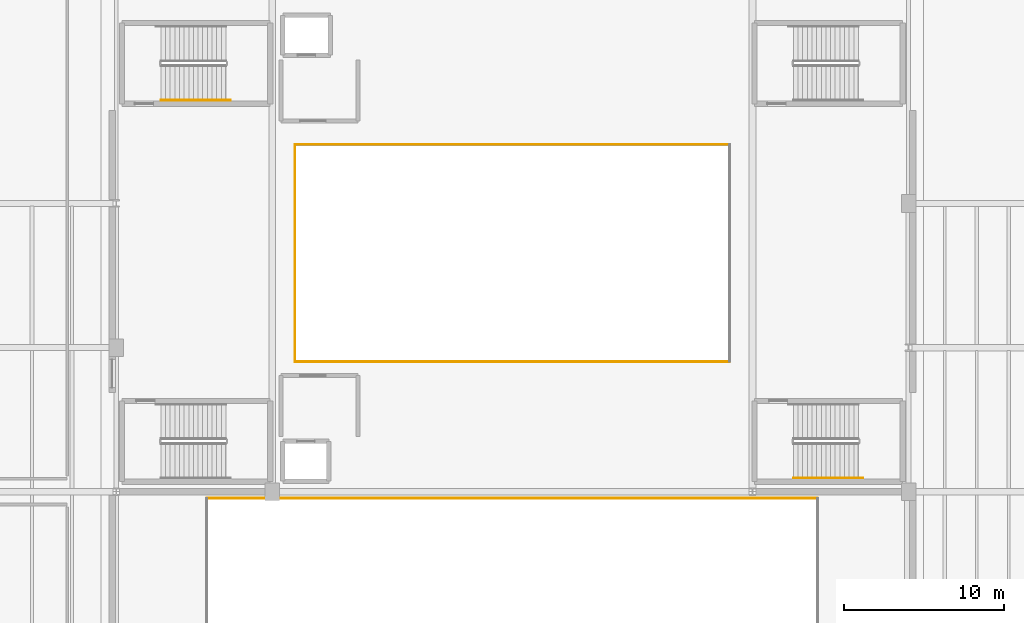
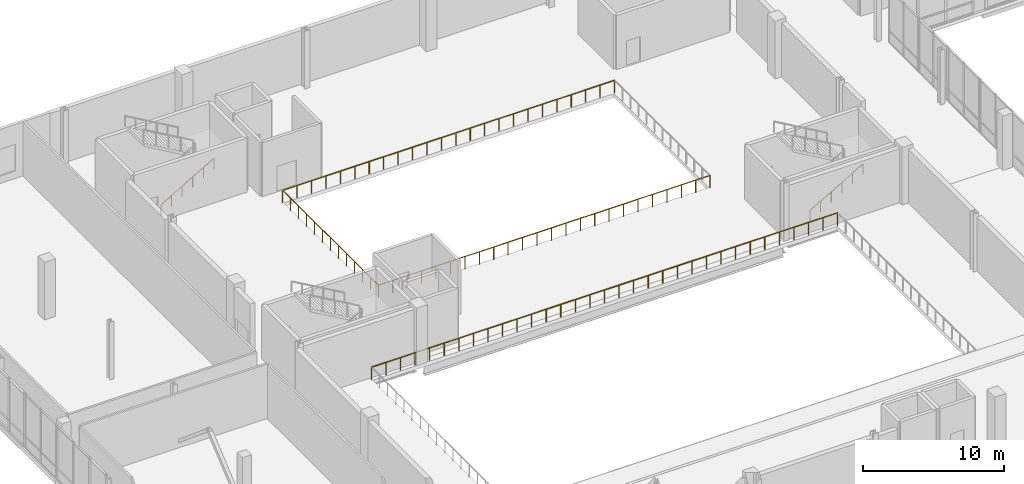
# One storey, part 68 of 73: 6 railings.
"""IFC4 building model written with IfcOpenShell, lengths in metres."""

from ifc_helpers import new_model, si_unit, direction, frame, origin, origin_2d, place, context, subcontext, project, spatial, circle, extrude, material, type_object, element, save


model = new_model("IFC4")

# Units and contexts
model_context = context("Model", 3, precision=1e-05, world=origin(), true_north=direction((0.0, 1.0)))
body_context = subcontext(model_context, "Body", "Model", "MODEL_VIEW")
ifc_project = project(units=[si_unit("LENGTHUNIT", "METRE"), si_unit("AREAUNIT", "SQUARE_METRE"), si_unit("VOLUMEUNIT", "CUBIC_METRE"), si_unit("PLANEANGLEUNIT", "RADIAN"), si_unit("MASSUNIT", "GRAM", prefix="KILO")], contexts=[model_context])

# Site, building, storey
site_placement = place(None, origin())
site = spatial("IfcSite", under=ifc_project, at=site_placement, CompositionType="ELEMENT")
building_placement = place(site_placement, origin())
building = spatial("IfcBuilding", under=site, at=building_placement, Name="Trimount Lyric Opera House", CompositionType="ELEMENT")
storey_placement = place(building_placement, frame((0.0, 0.0, 10.0)))
storey = spatial("IfcBuildingStorey", under=building, at=storey_placement, Name="L02", CompositionType="ELEMENT", Elevation=10.0)

# Railings
ifc_material_1 = material(Name="Bronze and Laminated Acoustic Glass", Category="glass")
railing_type_1 = type_object("IfcRailingType", Name="RL-BAL112", PredefinedType="BALUSTRADE", material=ifc_material_1)
railing_1_placement = place(storey_placement, frame((108.080078125, 83.580078125, 0.0)))
element("IfcRailing", 1, at=railing_1_placement, inside=storey, type_object=railing_type_1, Name="L02 atrium and balcony guard GRD-AUD-L02-N", PredefinedType="BALUSTRADE", context=body_context, shape_type="SweptSolid", body=[
    extrude(circle(Radius=0.02734375, at=origin_2d()), frame((0.0, 0.0, 1.0927734375), z_axis=(-1.0, 0.0, 0.0), x_axis=(0.0, -1.0, 0.0)), (0.0, 0.0, 1.0), 38.16015625),
    extrude(circle(Radius=0.02099609375, at=origin_2d()), origin(), (0.0, 0.0, 1.0), 1.065185546875),
    extrude(circle(Radius=0.02099609375, at=origin_2d()), frame((-1.1923828125, 0.0, 0.0)), (0.0, 0.0, 1.0), 1.065185546875),
    extrude(circle(Radius=0.02099609375, at=origin_2d()), frame((-2.385009765625, 0.0, 0.0)), (0.0, 0.0, 1.0), 1.065185546875),
    extrude(circle(Radius=0.02099609375, at=origin_2d()), frame((-3.57763671875, 0.0, 0.0)), (0.0, 0.0, 1.0), 1.065185546875),
    extrude(circle(Radius=0.02099609375, at=origin_2d()), frame((-4.77001953125, 0.0, 0.0)), (0.0, 0.0, 1.0), 1.065185546875),
    extrude(circle(Radius=0.02099609375, at=origin_2d()), frame((-5.96240234375, 0.0, 0.0)), (0.0, 0.0, 1.0), 1.065185546875),
    extrude(circle(Radius=0.02099609375, at=origin_2d()), frame((-7.155029296875, 0.0, 0.0)), (0.0, 0.0, 1.0), 1.065185546875),
    extrude(circle(Radius=0.02099609375, at=origin_2d()), frame((-8.34765625, 0.0, 0.0)), (0.0, 0.0, 1.0), 1.065185546875),
    extrude(circle(Radius=0.02099609375, at=origin_2d()), frame((-9.5400390625, 0.0, 0.0)), (0.0, 0.0, 1.0), 1.065185546875),
    extrude(circle(Radius=0.02099609375, at=origin_2d()), frame((-10.732421875, 0.0, 0.0)), (0.0, 0.0, 1.0), 1.065185546875),
    extrude(circle(Radius=0.02099609375, at=origin_2d()), frame((-11.925048828125, 0.0, 0.0)), (0.0, 0.0, 1.0), 1.065185546875),
    extrude(circle(Radius=0.02099609375, at=origin_2d()), frame((-13.11767578125, 0.0, 0.0)), (0.0, 0.0, 1.0), 1.065185546875),
    extrude(circle(Radius=0.02099609375, at=origin_2d()), frame((-14.31005859375, 0.0, 0.0)), (0.0, 0.0, 1.0), 1.065185546875),
    extrude(circle(Radius=0.02099609375, at=origin_2d()), frame((-15.50244140625, 0.0, 0.0)), (0.0, 0.0, 1.0), 1.065185546875),
    extrude(circle(Radius=0.02099609375, at=origin_2d()), frame((-16.695068359375, 0.0, 0.0)), (0.0, 0.0, 1.0), 1.065185546875),
    extrude(circle(Radius=0.02099609375, at=origin_2d()), frame((-17.8876953125, 0.0, 0.0)), (0.0, 0.0, 1.0), 1.065185546875),
    extrude(circle(Radius=0.02099609375, at=origin_2d()), frame((-19.080078125, 0.0, 0.0)), (0.0, 0.0, 1.0), 1.065185546875),
    extrude(circle(Radius=0.02099609375, at=origin_2d()), frame((-20.2724609375, 0.0, 0.0)), (0.0, 0.0, 1.0), 1.065185546875),
    extrude(circle(Radius=0.02099609375, at=origin_2d()), frame((-21.465087890625, 0.0, 0.0)), (0.0, 0.0, 1.0), 1.065185546875),
    extrude(circle(Radius=0.02099609375, at=origin_2d()), frame((-22.65771484375, 0.0, 0.0)), (0.0, 0.0, 1.0), 1.065185546875),
    extrude(circle(Radius=0.02099609375, at=origin_2d()), frame((-23.85009765625, 0.0, 0.0)), (0.0, 0.0, 1.0), 1.065185546875),
    extrude(circle(Radius=0.02099609375, at=origin_2d()), frame((-25.04248046875, 0.0, 0.0)), (0.0, 0.0, 1.0), 1.065185546875),
    extrude(circle(Radius=0.02099609375, at=origin_2d()), frame((-26.235107421875, 0.0, 0.0)), (0.0, 0.0, 1.0), 1.065185546875),
    extrude(circle(Radius=0.02099609375, at=origin_2d()), frame((-27.427734375, 0.0, 0.0)), (0.0, 0.0, 1.0), 1.065185546875),
    extrude(circle(Radius=0.02099609375, at=origin_2d()), frame((-28.6201171875, 0.0, 0.0)), (0.0, 0.0, 1.0), 1.065185546875),
    extrude(circle(Radius=0.02099609375, at=origin_2d()), frame((-29.8125, 0.0, 0.0)), (0.0, 0.0, 1.0), 1.065185546875),
    extrude(circle(Radius=0.02099609375, at=origin_2d()), frame((-31.005126953125, 0.0, 0.0)), (0.0, 0.0, 1.0), 1.065185546875),
    extrude(circle(Radius=0.02099609375, at=origin_2d()), frame((-32.19775390625, 0.0, 0.0)), (0.0, 0.0, 1.0), 1.065185546875),
    extrude(circle(Radius=0.02099609375, at=origin_2d()), frame((-33.39013671875, 0.0, 0.0)), (0.0, 0.0, 1.0), 1.065185546875),
    extrude(circle(Radius=0.02099609375, at=origin_2d()), frame((-34.58251953125, 0.0, 0.0)), (0.0, 0.0, 1.0), 1.065185546875),
    extrude(circle(Radius=0.02099609375, at=origin_2d()), frame((-35.775146484375, 0.0, 0.0)), (0.0, 0.0, 1.0), 1.065185546875),
    extrude(circle(Radius=0.02099609375, at=origin_2d()), frame((-36.9677734375, 0.0, 0.0)), (0.0, 0.0, 1.0), 1.065185546875),
    extrude(circle(Radius=0.02099609375, at=origin_2d()), frame((-38.16015625, 0.0, 0.0)), (0.0, 0.0, 1.0), 1.065185546875),
])
ifc_material_2 = material(Name="Brushed Stainless Steel 316", Category="steel")
railing_type_2 = type_object("IfcRailingType", Name="RL-GRD110", PredefinedType="GUARDRAIL", material=ifc_material_2)
railing_2_placement = place(storey_placement, frame((75.419921875, 92.1201171875, 0.0)))
element("IfcRailing", 2, at=railing_2_placement, inside=storey, type_object=railing_type_2, Name="L02 atrium and balcony guard GRD-FLY-L02-S", PredefinedType="GUARDRAIL", context=body_context, shape_type="SweptSolid", body=[
    extrude(circle(Radius=0.02392578125, at=origin_2d()), frame((0.0, 0.0, 1.076171875), z_axis=(1.0, 0.0, 0.0), x_axis=(0.0, 1.0, 0.0)), (0.0, 0.0, 1.0), 27.16015625),
    extrude(circle(Radius=0.02099609375, at=origin_2d()), origin(), (0.0, 0.0, 1.0), 1.052001953125),
    extrude(circle(Radius=0.02099609375, at=origin_2d()), frame((1.180908203125, 0.0, 0.0)), (0.0, 0.0, 1.0), 1.052001953125),
    extrude(circle(Radius=0.02099609375, at=origin_2d()), frame((2.36181640625, 0.0, 0.0)), (0.0, 0.0, 1.0), 1.052001953125),
    extrude(circle(Radius=0.02099609375, at=origin_2d()), frame((3.542724609375, 0.0, 0.0)), (0.0, 0.0, 1.0), 1.052001953125),
    extrude(circle(Radius=0.02099609375, at=origin_2d()), frame((4.723388671875, 0.0, 0.0)), (0.0, 0.0, 1.0), 1.052001953125),
    extrude(circle(Radius=0.02099609375, at=origin_2d()), frame((5.904296875, 0.0, 0.0)), (0.0, 0.0, 1.0), 1.052001953125),
    extrude(circle(Radius=0.02099609375, at=origin_2d()), frame((7.085205078125, 0.0, 0.0)), (0.0, 0.0, 1.0), 1.052001953125),
    extrude(circle(Radius=0.02099609375, at=origin_2d()), frame((8.26611328125, 0.0, 0.0)), (0.0, 0.0, 1.0), 1.052001953125),
    extrude(circle(Radius=0.02099609375, at=origin_2d()), frame((9.447021484375, 0.0, 0.0)), (0.0, 0.0, 1.0), 1.052001953125),
    extrude(circle(Radius=0.02099609375, at=origin_2d()), frame((10.6279296875, 0.0, 0.0)), (0.0, 0.0, 1.0), 1.052001953125),
    extrude(circle(Radius=0.02099609375, at=origin_2d()), frame((11.808837890625, 0.0, 0.0)), (0.0, 0.0, 1.0), 1.052001953125),
    extrude(circle(Radius=0.02099609375, at=origin_2d()), frame((12.98974609375, 0.0, 0.0)), (0.0, 0.0, 1.0), 1.052001953125),
    extrude(circle(Radius=0.02099609375, at=origin_2d()), frame((14.17041015625, 0.0, 0.0)), (0.0, 0.0, 1.0), 1.052001953125),
    extrude(circle(Radius=0.02099609375, at=origin_2d()), frame((15.351318359375, 0.0, 0.0)), (0.0, 0.0, 1.0), 1.052001953125),
    extrude(circle(Radius=0.02099609375, at=origin_2d()), frame((16.5322265625, 0.0, 0.0)), (0.0, 0.0, 1.0), 1.052001953125),
    extrude(circle(Radius=0.02099609375, at=origin_2d()), frame((17.713134765625, 0.0, 0.0)), (0.0, 0.0, 1.0), 1.052001953125),
    extrude(circle(Radius=0.02099609375, at=origin_2d()), frame((18.89404296875, 0.0, 0.0)), (0.0, 0.0, 1.0), 1.052001953125),
    extrude(circle(Radius=0.02099609375, at=origin_2d()), frame((20.074951171875, 0.0, 0.0)), (0.0, 0.0, 1.0), 1.052001953125),
    extrude(circle(Radius=0.02099609375, at=origin_2d()), frame((21.255859375, 0.0, 0.0)), (0.0, 0.0, 1.0), 1.052001953125),
    extrude(circle(Radius=0.02099609375, at=origin_2d()), frame((22.436767578125, 0.0, 0.0)), (0.0, 0.0, 1.0), 1.052001953125),
    extrude(circle(Radius=0.02099609375, at=origin_2d()), frame((23.617431640625, 0.0, 0.0)), (0.0, 0.0, 1.0), 1.052001953125),
    extrude(circle(Radius=0.02099609375, at=origin_2d()), frame((24.79833984375, 0.0, 0.0)), (0.0, 0.0, 1.0), 1.052001953125),
    extrude(circle(Radius=0.02099609375, at=origin_2d()), frame((25.979248046875, 0.0, 0.0)), (0.0, 0.0, 1.0), 1.052001953125),
    extrude(circle(Radius=0.02099609375, at=origin_2d()), frame((27.16015625, 0.0, 0.0)), (0.0, 0.0, 1.0), 1.052001953125),
])
railing_3_placement = place(storey_placement, frame((102.580078125, 105.679931640625, 0.0)))
element("IfcRailing", 3, at=railing_3_placement, inside=storey, type_object=railing_type_2, Name="L02 atrium and balcony guard GRD-FLY-L02-N", PredefinedType="GUARDRAIL", context=body_context, shape_type="SweptSolid", body=[
    extrude(circle(Radius=0.02392578125, at=origin_2d()), frame((0.0, 0.0, 1.076171875), z_axis=(-1.0, 0.0, 0.0), x_axis=(0.0, -1.0, 0.0)), (0.0, 0.0, 1.0), 27.16015625),
    extrude(circle(Radius=0.02099609375, at=origin_2d()), origin(), (0.0, 0.0, 1.0), 1.052001953125),
    extrude(circle(Radius=0.02099609375, at=origin_2d()), frame((-1.180908203125, 0.0, 0.0)), (0.0, 0.0, 1.0), 1.052001953125),
    extrude(circle(Radius=0.02099609375, at=origin_2d()), frame((-2.36181640625, 0.0, 0.0)), (0.0, 0.0, 1.0), 1.052001953125),
    extrude(circle(Radius=0.02099609375, at=origin_2d()), frame((-3.542724609375, 0.0, 0.0)), (0.0, 0.0, 1.0), 1.052001953125),
    extrude(circle(Radius=0.02099609375, at=origin_2d()), frame((-4.723388671875, 0.0, 0.0)), (0.0, 0.0, 1.0), 1.052001953125),
    extrude(circle(Radius=0.02099609375, at=origin_2d()), frame((-5.904296875, 0.0, 0.0)), (0.0, 0.0, 1.0), 1.052001953125),
    extrude(circle(Radius=0.02099609375, at=origin_2d()), frame((-7.085205078125, 0.0, 0.0)), (0.0, 0.0, 1.0), 1.052001953125),
    extrude(circle(Radius=0.02099609375, at=origin_2d()), frame((-8.26611328125, 0.0, 0.0)), (0.0, 0.0, 1.0), 1.052001953125),
    extrude(circle(Radius=0.02099609375, at=origin_2d()), frame((-9.447021484375, 0.0, 0.0)), (0.0, 0.0, 1.0), 1.052001953125),
    extrude(circle(Radius=0.02099609375, at=origin_2d()), frame((-10.6279296875, 0.0, 0.0)), (0.0, 0.0, 1.0), 1.052001953125),
    extrude(circle(Radius=0.02099609375, at=origin_2d()), frame((-11.808837890625, 0.0, 0.0)), (0.0, 0.0, 1.0), 1.052001953125),
    extrude(circle(Radius=0.02099609375, at=origin_2d()), frame((-12.98974609375, 0.0, 0.0)), (0.0, 0.0, 1.0), 1.052001953125),
    extrude(circle(Radius=0.02099609375, at=origin_2d()), frame((-14.17041015625, 0.0, 0.0)), (0.0, 0.0, 1.0), 1.052001953125),
    extrude(circle(Radius=0.02099609375, at=origin_2d()), frame((-15.351318359375, 0.0, 0.0)), (0.0, 0.0, 1.0), 1.052001953125),
    extrude(circle(Radius=0.02099609375, at=origin_2d()), frame((-16.5322265625, 0.0, 0.0)), (0.0, 0.0, 1.0), 1.052001953125),
    extrude(circle(Radius=0.02099609375, at=origin_2d()), frame((-17.713134765625, 0.0, 0.0)), (0.0, 0.0, 1.0), 1.052001953125),
    extrude(circle(Radius=0.02099609375, at=origin_2d()), frame((-18.89404296875, 0.0, 0.0)), (0.0, 0.0, 1.0), 1.052001953125),
    extrude(circle(Radius=0.02099609375, at=origin_2d()), frame((-20.074951171875, 0.0, 0.0)), (0.0, 0.0, 1.0), 1.052001953125),
    extrude(circle(Radius=0.02099609375, at=origin_2d()), frame((-21.255859375, 0.0, 0.0)), (0.0, 0.0, 1.0), 1.052001953125),
    extrude(circle(Radius=0.02099609375, at=origin_2d()), frame((-22.436767578125, 0.0, 0.0)), (0.0, 0.0, 1.0), 1.052001953125),
    extrude(circle(Radius=0.02099609375, at=origin_2d()), frame((-23.617431640625, 0.0, 0.0)), (0.0, 0.0, 1.0), 1.052001953125),
    extrude(circle(Radius=0.02099609375, at=origin_2d()), frame((-24.79833984375, 0.0, 0.0)), (0.0, 0.0, 1.0), 1.052001953125),
    extrude(circle(Radius=0.02099609375, at=origin_2d()), frame((-25.979248046875, 0.0, 0.0)), (0.0, 0.0, 1.0), 1.052001953125),
    extrude(circle(Radius=0.02099609375, at=origin_2d()), frame((-27.16015625, 0.0, 0.0)), (0.0, 0.0, 1.0), 1.052001953125),
])
railing_4_placement = place(storey_placement, frame((75.419921875, 105.679931640625, 0.0)))
element("IfcRailing", 4, at=railing_4_placement, inside=storey, type_object=railing_type_2, Name="L02 atrium and balcony guard GRD-FLY-L02-W", PredefinedType="GUARDRAIL", context=body_context, shape_type="SweptSolid", body=[
    extrude(circle(Radius=0.02392578125, at=origin_2d()), frame((0.0, 0.0, 1.076171875), z_axis=(0.0, -1.0, 0.0), x_axis=(1.0, 0.0, 0.0)), (0.0, 0.0, 1.0), 13.559814453125),
    extrude(circle(Radius=0.02099609375, at=origin_2d()), origin(), (0.0, 0.0, 1.0), 1.052001953125),
    extrude(circle(Radius=0.02099609375, at=origin_2d()), frame((0.0, -1.1298828125, 0.0)), (0.0, 0.0, 1.0), 1.052001953125),
    extrude(circle(Radius=0.02099609375, at=origin_2d()), frame((0.0, -2.260009765625, 0.0)), (0.0, 0.0, 1.0), 1.052001953125),
    extrude(circle(Radius=0.02099609375, at=origin_2d()), frame((0.0, -3.389892578125, 0.0)), (0.0, 0.0, 1.0), 1.052001953125),
    extrude(circle(Radius=0.02099609375, at=origin_2d()), frame((0.0, -4.52001953125, 0.0)), (0.0, 0.0, 1.0), 1.052001953125),
    extrude(circle(Radius=0.02099609375, at=origin_2d()), frame((0.0, -5.64990234375, 0.0)), (0.0, 0.0, 1.0), 1.052001953125),
    extrude(circle(Radius=0.02099609375, at=origin_2d()), frame((0.0, -6.77978515625, 0.0)), (0.0, 0.0, 1.0), 1.052001953125),
    extrude(circle(Radius=0.02099609375, at=origin_2d()), frame((0.0, -7.909912109375, 0.0)), (0.0, 0.0, 1.0), 1.052001953125),
    extrude(circle(Radius=0.02099609375, at=origin_2d()), frame((0.0, -9.039794921875, 0.0)), (0.0, 0.0, 1.0), 1.052001953125),
    extrude(circle(Radius=0.02099609375, at=origin_2d()), frame((0.0, -10.169921875, 0.0)), (0.0, 0.0, 1.0), 1.052001953125),
    extrude(circle(Radius=0.02099609375, at=origin_2d()), frame((0.0, -11.2998046875, 0.0)), (0.0, 0.0, 1.0), 1.052001953125),
    extrude(circle(Radius=0.02099609375, at=origin_2d()), frame((0.0, -12.429931640625, 0.0)), (0.0, 0.0, 1.0), 1.052001953125),
    extrude(circle(Radius=0.02099609375, at=origin_2d()), frame((0.0, -13.559814453125, 0.0)), (0.0, 0.0, 1.0), 1.052001953125),
])
ifc_material_3 = material(Name="Brushed Stainless Steel 316", Category="steel")
railing_type_3 = type_object("IfcRailingType", Name="RL-HND092", PredefinedType="HANDRAIL", material=ifc_material_3)
for number, where, name in (
    (5, (67.050048828125, 108.449951171875, 0.166748046875), "L02 ST-01 stair handrail 1"),
    (6, (106.550048828125, 84.85009765625, 0.166748046875), "L02 ST-04 stair handrail 1"),
):
    element("IfcRailing", number, at=place(storey_placement, frame(where)), inside=storey, type_object=railing_type_3, Name=name, PredefinedType="HANDRAIL", context=body_context, shape_type="SweptSolid", body=[
        extrude(circle(Radius=0.0224609375, at=origin_2d()), frame((0.0, 0.0, 0.8974609375), z_axis=(0.866754379005, 0.0, 0.498735246875), x_axis=(0.0, 1.0, 0.0)), (0.0, 0.0, 1.0), 5.0185546875),
        extrude(circle(Radius=0.02099609375, at=origin_2d()), origin(), (0.0, 0.0, 1.0), 0.875),
        extrude(circle(Radius=0.02099609375, at=origin_2d()), frame((0.869873046875, 0.0, 0.50048828125)), (0.0, 0.0, 1.0), 0.875),
        extrude(circle(Radius=0.02099609375, at=origin_2d()), frame((1.739990234375, 0.0, 1.001220703125)), (0.0, 0.0, 1.0), 0.875),
        extrude(circle(Radius=0.02099609375, at=origin_2d()), frame((2.60986328125, 0.0, 1.501708984375)), (0.0, 0.0, 1.0), 0.875),
        extrude(circle(Radius=0.02099609375, at=origin_2d()), frame((3.47998046875, 0.0, 2.00244140625)), (0.0, 0.0, 1.0), 0.875),
        extrude(circle(Radius=0.02099609375, at=origin_2d()), frame((4.349853515625, 0.0, 2.5029296875)), (0.0, 0.0, 1.0), 0.875),
    ])

save(model, "model.ifc")
